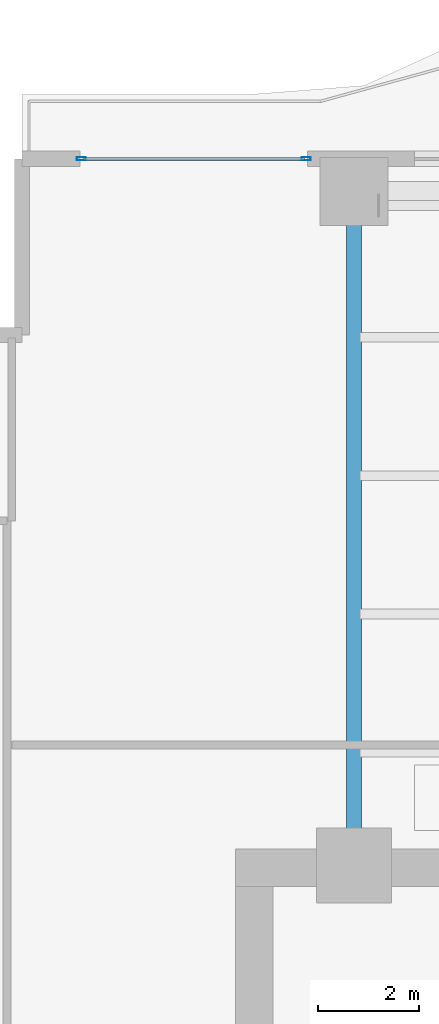
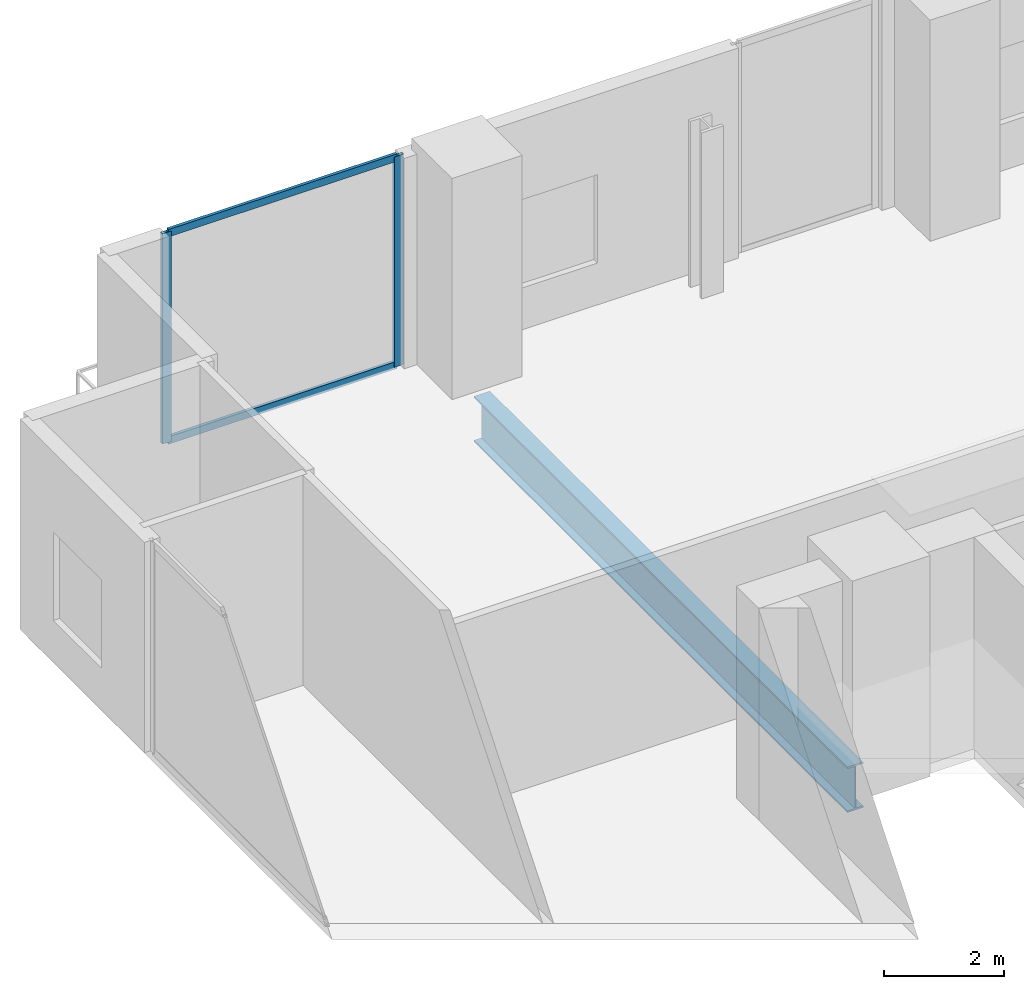
# One storey, part 18 of 33: 4 members, 1 beam, 1 element without a shape of its own.
"""IFC4 building model written with IfcOpenShell, lengths in metres."""

import ifcopenshell
import ifcopenshell.guid

model = None  # the IFC model being written
_history = None  # IfcOwnerHistory: only IFC2X3 demands one
_inside = {}  # id of a spatial element -> (the spatial element, [elements in it])
_under = {}  # id of a project, library or spatial element -> (it, [spatial elements below it])
_declared = {}  # id of a project -> (the project, [libraries it declares])
_typed = {}  # id of a type object -> (the type object, [elements of that type])
_made_of = {}  # id of a material, layer set ... -> (it, [elements and type objects made of it])


def new_model(schema):
    """Start an empty IFC model of exactly this schema.

    Asked for "IFC4X3", IfcOpenShell would pick the latest addendum, in which some entities
    have other attributes; the version numbers below select the first issue.
    IFC2X3 requires an IfcOwnerHistory on every rooted entity: one is made here for all.
    """
    global model, _history
    if schema == "IFC4X3":
        model = ifcopenshell.file(schema_version=(4, 3, 0, 0))
    else:
        model = ifcopenshell.file(schema=schema)
    _inside.clear()
    _under.clear()
    _declared.clear()
    _typed.clear()
    _made_of.clear()
    _history = None
    if model.schema == "IFC2X3":
        org = make("IfcOrganization", Name="unknown")
        user = make(
            "IfcPersonAndOrganization",
            ThePerson=make("IfcPerson", FamilyName="unknown"),
            TheOrganization=org,
        )
        app = make(
            "IfcApplication",
            ApplicationDeveloper=org,
            Version="unknown",
            ApplicationFullName="unknown",
            ApplicationIdentifier="unknown",
        )
        _history = make(
            "IfcOwnerHistory",
            OwningUser=user,
            OwningApplication=app,
            ChangeAction="ADDED",
            CreationDate=0,
        )
    return model


def make(cls, **values):
    """One entity of the class cls with the attributes given. An attribute that is None is left unset."""
    return model.create_entity(
        cls, **{name: value for name, value in values.items() if value is not None}
    )


def rooted(cls, **values):
    """An entity with a GlobalId (a new one), such as an element, a storey or a relation."""
    return make(cls, GlobalId=ifcopenshell.guid.new(), OwnerHistory=_history, **values)


def si_unit(unit_type, name, prefix=None):
    """IfcSIUnit, for example si_unit("LENGTHUNIT", "METRE", prefix="MILLI")."""
    return make("IfcSIUnit", UnitType=unit_type, Prefix=prefix, Name=name)


def assignment(units):
    """IfcUnitAssignment: the units of a project."""
    return None if units is None else make("IfcUnitAssignment", Units=units)


def point(xyz):
    """IfcCartesianPoint."""
    return None if xyz is None else make("IfcCartesianPoint", Coordinates=xyz)


def direction(xyz):
    """IfcDirection."""
    return None if xyz is None else make("IfcDirection", DirectionRatios=xyz)


def frame(location, z_axis=None, x_axis=None):
    """IfcAxis2Placement3D, a coordinate frame: its origin and axes. An axis left out is left unset."""
    return make(
        "IfcAxis2Placement3D",
        Location=point(location),
        Axis=direction(z_axis),
        RefDirection=direction(x_axis),
    )


def frame_2d(location, x_axis=None):
    """IfcAxis2Placement2D, a coordinate frame in the plane: its origin and x axis."""
    return make(
        "IfcAxis2Placement2D", Location=point(location), RefDirection=direction(x_axis)
    )


def origin():
    """The frame at (0, 0, 0) with its axes left unset."""
    return frame((0.0, 0.0, 0.0))


def origin_2d():
    """The frame at (0, 0) in the plane with its x axis left unset."""
    return frame_2d((0.0, 0.0))


def place(relative_to, where):
    """IfcLocalPlacement: puts the frame where relative to a parent placement (None: the world)."""
    return make(
        "IfcLocalPlacement", PlacementRelTo=relative_to, RelativePlacement=where
    )


def context(
    kind, dimensions, precision=None, world=None, true_north=None, identifier=None
):
    """IfcGeometricRepresentationContext, for example the 3D "Model" context."""
    return make(
        "IfcGeometricRepresentationContext",
        ContextIdentifier=identifier,
        ContextType=kind,
        CoordinateSpaceDimension=dimensions,
        Precision=precision,
        WorldCoordinateSystem=world,
        TrueNorth=true_north,
    )


def subcontext(parent, identifier, kind, view, scale=None):
    """IfcGeometricRepresentationSubContext, for example "Body" below "Model"."""
    return make(
        "IfcGeometricRepresentationSubContext",
        ContextIdentifier=identifier,
        ContextType=kind,
        ParentContext=parent,
        TargetScale=scale,
        TargetView=view,
    )


def project(units=None, contexts=None):
    """IfcProject with its units and contexts."""
    return rooted(
        "IfcProject",
        Name="project",
        RepresentationContexts=contexts,
        UnitsInContext=assignment(units),
    )


def spatial(cls, under=None, at=None, **own):
    """A site, building, storey or space (cls), placed at a placement, below another one or the project."""
    s = rooted(cls, ObjectPlacement=at, **own)
    if under is not None:
        _under.setdefault(under.id(), (under, []))[1].append(s)
    return s


def profile(cls, at=None, kind="AREA", **sizes):
    """A parametric profile (cls). Its sizes go by their IFC names, for example OverallWidth=200.0."""
    return make(cls, ProfileType=kind, Position=at, **sizes)


def hollow_rectangle(**sizes):
    """IfcRectangleHollowProfileDef."""
    return profile("IfcRectangleHollowProfileDef", **sizes)


def i_section(**sizes):
    """IfcIShapeProfileDef."""
    return profile("IfcIShapeProfileDef", **sizes)


def extrude(swept, where, along, depth):
    """IfcExtrudedAreaSolid: the profile swept, set in the frame where, extruded along a direction by depth."""
    return make(
        "IfcExtrudedAreaSolid",
        SweptArea=swept,
        Position=where,
        ExtrudedDirection=direction(along),
        Depth=depth,
    )


def shape(context_of_items, identifier, shape_type, items):
    """IfcShapeRepresentation: the items that make up one representation, for example the "Body"."""
    return make(
        "IfcShapeRepresentation",
        ContextOfItems=context_of_items,
        RepresentationIdentifier=identifier,
        RepresentationType=shape_type,
        Items=items,
    )


def material(Name=None, Category=None):
    """IfcMaterial."""
    return make("IfcMaterial", Name=Name, Category=Category)


def layer(
    of_material, thickness, ventilated=None, Name=None, Category=None, Priority=None
):
    """IfcMaterialLayer: one layer of a wall or slab, of a material (None: an air gap)."""
    return make(
        "IfcMaterialLayer",
        Material=of_material,
        LayerThickness=thickness,
        IsVentilated=ventilated,
        Name=Name,
        Category=Category,
        Priority=Priority,
    )


def layer_set(layers, Name=None):
    """IfcMaterialLayerSet."""
    return make("IfcMaterialLayerSet", MaterialLayers=layers, LayerSetName=Name)


def material_profile(
    of_material, cross_section, Name=None, Category=None, Priority=None
):
    """IfcMaterialProfile: a cross section and its material."""
    return make(
        "IfcMaterialProfile",
        Name=Name,
        Material=of_material,
        Profile=cross_section,
        Priority=Priority,
        Category=Category,
    )


def profile_set(profiles, Name=None, composite=None):
    """IfcMaterialProfileSet."""
    return make(
        "IfcMaterialProfileSet",
        Name=Name,
        MaterialProfiles=profiles,
        CompositeProfile=composite,
    )


def made_of(thing, what):
    """Note that an element or type object is made of a material, layer set ...; save() writes the relation."""
    if what is not None:
        _made_of.setdefault(what.id(), (what, []))[1].append(thing)
    return thing


def type_object(cls, material=None, **own):
    """A type object (cls), such as IfcWallType, which elements share."""
    return made_of(rooted(cls, **own), material)


def element(
    cls,
    number,
    at=None,
    inside=None,
    cuts=None,
    type_object=None,
    material=None,
    context=None,
    identifier="Body",
    shape_type=None,
    held_by="IfcProductDefinitionShape",
    body=None,
    shapes=None,
    **own,
):
    """One element of the class cls, such as IfcWall. Its Tag is "e" and its number.

    at: its placement. inside: the storey or other place that contains it. cuts: it is an
    opening in that element (IfcRelVoidsElement). A single representation is given by context,
    identifier, shape_type and body (its items); several are given by shapes. held_by: the class
    of the entity that holds the representations. save() writes the other relations.
    """
    e = rooted(cls, Tag="e%d" % number, ObjectPlacement=at, **own)
    if body is not None:
        shapes = [shape(context, identifier, shape_type, body)]
    if shapes is not None:
        e.Representation = make(held_by, Representations=shapes)
    if inside is not None:
        _inside.setdefault(inside.id(), (inside, []))[1].append(e)
    if cuts is not None:
        rooted(
            "IfcRelVoidsElement", RelatingBuildingElement=cuts, RelatedOpeningElement=e
        )
    if type_object is not None:
        _typed.setdefault(type_object.id(), (type_object, []))[1].append(e)
    return made_of(e, material)


def aggregate(whole, parts):
    """IfcRelAggregates: a whole, such as a stair, and the parts it consists of."""
    return rooted("IfcRelAggregates", RelatingObject=whole, RelatedObjects=parts)


def save(model, path):
    """Write the relations noted so far, then the file.

    IfcRelAggregates (storeys below a building ...), IfcRelContainedInSpatialStructure (elements
    in a storey), IfcRelDefinesByType, IfcRelAssociatesMaterial and IfcRelDeclares: one each for
    every whole, place, type object, material and project.
    """
    for whole, parts in _under.values():
        aggregate(whole, parts)
    for where, things in _inside.values():
        rooted(
            "IfcRelContainedInSpatialStructure",
            RelatedElements=things,
            RelatingStructure=where,
        )
    for kind, things in _typed.values():
        rooted("IfcRelDefinesByType", RelatedObjects=things, RelatingType=kind)
    for what, things in _made_of.values():
        rooted("IfcRelAssociatesMaterial", RelatedObjects=things, RelatingMaterial=what)
    for by, libraries in _declared.values():
        rooted("IfcRelDeclares", RelatingContext=by, RelatedDefinitions=libraries)
    model.write(path)


model = new_model("IFC4")

# Units and contexts
model_context = context("Model", 3, precision=1e-05, world=origin(), true_north=direction((0.0, 1.0)))
body_context = subcontext(model_context, "Body", "Model", "MODEL_VIEW")
ifc_project = project(units=[si_unit("LENGTHUNIT", "METRE"), si_unit("AREAUNIT", "SQUARE_METRE"), si_unit("VOLUMEUNIT", "CUBIC_METRE"), si_unit("PLANEANGLEUNIT", "RADIAN"), si_unit("MASSUNIT", "GRAM", prefix="KILO")], contexts=[model_context])

# Site, building, storey
site_placement = place(None, origin())
site = spatial("IfcSite", under=ifc_project, at=site_placement, CompositionType="ELEMENT")
building_placement = place(site_placement, origin())
building = spatial("IfcBuilding", under=site, at=building_placement, Name="Zuhayl Quay Hotel", CompositionType="ELEMENT")
storey_placement = place(building_placement, frame((0.0, 0.0, 154.050048828125)))
storey = spatial("IfcBuildingStorey", under=building, at=storey_placement, Name="L39", CompositionType="ELEMENT", Elevation=154.050048828125)

# Beam
ifc_material_1 = material(Name="Steel ASTM A992 Grade 50", Category="steel")
ifc_material_profile_1 = material_profile(ifc_material_1, i_section(OverallWidth=0.306884765625, OverallDepth=0.927001953125, WebThickness=0.019287109375, FlangeThickness=0.031982421875, at=origin_2d()), Name="W36X194")
ifc_profile_set_1 = profile_set([ifc_material_profile_1], Name="Steel ASTM A992 Grade 50")
beam_type = type_object("IfcBeamType", Name="BM_PG2_W36X194", PredefinedType="BEAM", material=ifc_profile_set_1)
beam_placement = place(storey_placement, frame((-13.800048828125, 14.800048828125, -0.68359375), z_axis=(0.0, 1.0, 0.0), x_axis=(-1.0, 0.0, 0.0)))
element("IfcBeam", 1, at=beam_placement, inside=storey, type_object=beam_type, Name="L39 Floor Beam FG_N_L39_1", PredefinedType="BEAM", context=body_context, shape_type="SweptSolid", body=[
    extrude(i_section(OverallWidth=0.306884765625, OverallDepth=0.927001953125, WebThickness=0.019287109375, FlangeThickness=0.031982421875, at=origin_2d()), origin(), (0.0, 0.0, 1.0), 12.449951171875),
])

# Curtain wall, members
ifc_material_2 = material(Name="Anodised Aluminium 6063-T6", Category="aluminium")
ifc_layer = layer(ifc_material_2, 0.179931640625, Name="Anodised Aluminium 6063-T6", Category="aluminium")
ifc_layer_set = layer_set([ifc_layer], Name="Anodised Aluminium 6063-T6")
curtain_wall_type = type_object("IfcCurtainWallType", Name="CW_SYS_Z2", PredefinedType="USERDEFINED", material=ifc_layer_set)
curtain_wall_placement = place(storey_placement, origin())
curtain_wall = element("IfcCurtainWall", 2, at=curtain_wall_placement, inside=storey, type_object=curtain_wall_type, Name="L39 Curtain Wall ENV_L39_N_CW1", ObjectType="UNITISED CURTAIN WALL", PredefinedType="USERDEFINED")
ifc_material_3 = material(Name="Black-anodised aluminium 6063-T6", Category="aluminium")
ifc_material_profile_2 = material_profile(ifc_material_3, hollow_rectangle(XDim=0.06494140625, YDim=0.179931640625, WallThickness=0.00341796875, at=origin_2d()), Name="ALU180X65")
ifc_profile_set_2 = profile_set([ifc_material_profile_2], Name="Black-anodised aluminium 6063-T6")
member_type_1 = type_object("IfcMemberType", Name="MB_CW_MUL_180", PredefinedType="MULLION", material=ifc_profile_set_2)
member_1_placement = place(storey_placement, frame((-19.217529296875, 28.39990234375, 0.0), z_axis=(0.0, 0.0, 1.0), x_axis=(0.0, 1.0, 0.0)))
member_1 = element("IfcMember", 3, at=member_1_placement, type_object=member_type_1, Name="CW-Z2 mullion 1", PredefinedType="MULLION", context=body_context, shape_type="SweptSolid", body=[
    extrude(hollow_rectangle(XDim=0.06494140625, YDim=0.179931640625, WallThickness=0.00341796875, at=origin_2d()), origin(), (0.0, 0.0, 1.0), 4.280029296875),
])
member_2_placement = place(storey_placement, frame((-14.75244140625, 28.39990234375, 0.0), z_axis=(0.0, 0.0, 1.0), x_axis=(0.0, 1.0, 0.0)))
member_2 = element("IfcMember", 4, at=member_2_placement, type_object=member_type_1, Name="CW-Z2 mullion 2", PredefinedType="MULLION", context=body_context, shape_type="SweptSolid", body=[
    extrude(hollow_rectangle(XDim=0.06494140625, YDim=0.179931640625, WallThickness=0.00341796875, at=origin_2d()), origin(), (0.0, 0.0, 1.0), 4.280029296875),
])
ifc_material_profile_3 = material_profile(ifc_material_3, hollow_rectangle(XDim=0.06005859375, YDim=0.14990234375, WallThickness=0.00341796875, at=origin_2d()), Name="ALU150X60")
ifc_profile_set_3 = profile_set([ifc_material_profile_3], Name="Black-anodised aluminium 6063-T6")
member_type_2 = type_object("IfcMemberType", Name="MB_CW_TRN_150", PredefinedType="USERDEFINED", material=ifc_profile_set_3)
member_3_placement = place(storey_placement, frame((-19.18505859375, 28.39990234375, 0.030029296875), z_axis=(1.0, 0.0, 0.0), x_axis=(0.0, 1.0, 0.0)))
member_3 = element("IfcMember", 5, at=member_3_placement, type_object=member_type_2, Name="CW-Z2 transom 1.1", ObjectType="TRANSOM", PredefinedType="USERDEFINED", context=body_context, shape_type="SweptSolid", body=[
    extrude(hollow_rectangle(XDim=0.06005859375, YDim=0.14990234375, WallThickness=0.00341796875, at=origin_2d()), origin(), (0.0, 0.0, 1.0), 4.400146484375),
])
member_4_placement = place(storey_placement, frame((-19.18505859375, 28.39990234375, 4.25), z_axis=(1.0, 0.0, 0.0), x_axis=(0.0, 1.0, 0.0)))
member_4 = element("IfcMember", 6, at=member_4_placement, type_object=member_type_2, Name="CW-Z2 transom 1.2", ObjectType="TRANSOM", PredefinedType="USERDEFINED", context=body_context, shape_type="SweptSolid", body=[
    extrude(hollow_rectangle(XDim=0.06005859375, YDim=0.14990234375, WallThickness=0.00341796875, at=origin_2d()), origin(), (0.0, 0.0, 1.0), 4.400146484375),
])
aggregate(curtain_wall, [member_1, member_2, member_3, member_4])

save(model, "model.ifc")
